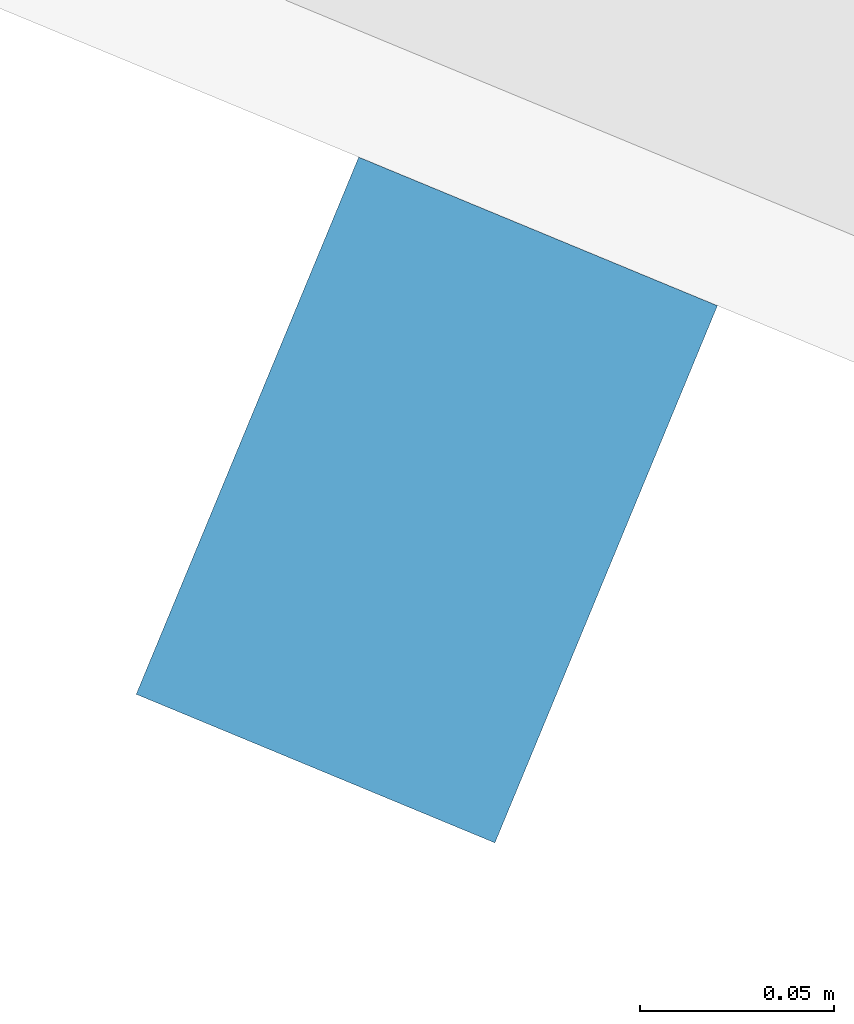
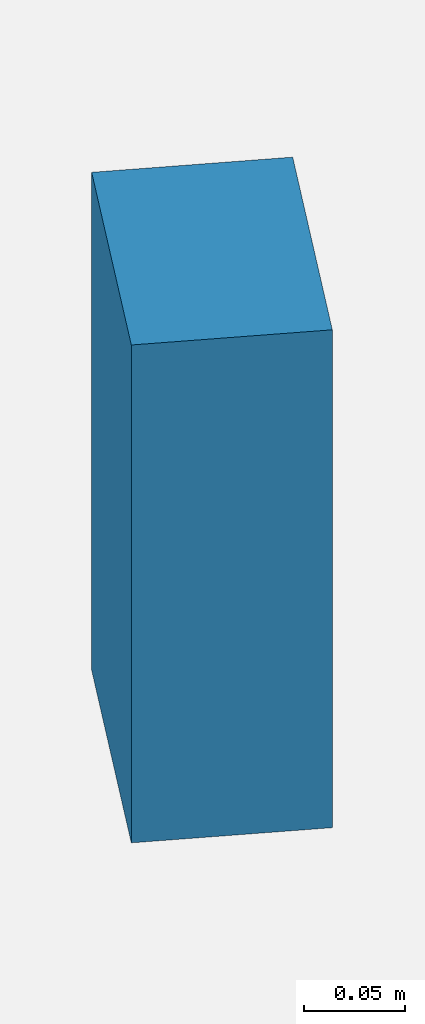
# One storey, part 9 of 29: 1 discrete accessory.
"""IFC4 building model written with IfcOpenShell, lengths in metres."""

from ifc_helpers import new_model, si_unit, direction, frame, origin, origin_2d, place, context, subcontext, project, spatial, rectangle, extrude, material, type_object, element, save


model = new_model("IFC4")

# Units and contexts
model_context = context("Model", 3, precision=1e-05, world=origin(), true_north=direction((0.0, 1.0)))
body_context = subcontext(model_context, "Body", "Model", "MODEL_VIEW")
ifc_project = project(units=[si_unit("LENGTHUNIT", "METRE"), si_unit("AREAUNIT", "SQUARE_METRE"), si_unit("VOLUMEUNIT", "CUBIC_METRE"), si_unit("PLANEANGLEUNIT", "RADIAN"), si_unit("MASSUNIT", "GRAM", prefix="KILO")], contexts=[model_context])

# Site, building, storey
site_placement = place(None, origin())
site = spatial("IfcSite", under=ifc_project, at=site_placement, CompositionType="ELEMENT")
building_placement = place(site_placement, origin())
building = spatial("IfcBuilding", under=site, at=building_placement, Name="Qamariyya Broadcast Tower", CompositionType="ELEMENT")
storey_placement = place(building_placement, frame((0.0, 0.0, 106.300048828125)))
storey = spatial("IfcBuildingStorey", under=building, at=storey_placement, Name="L23", CompositionType="ELEMENT", Elevation=106.300048828125)

# Discrete accessory
ifc_material = material(Name="Stainless steel 316", Category="steel")
discrete_accessory_type = type_object("IfcDiscreteAccessoryType", Name="Slab edge fixing angle, stainless steel", PredefinedType="BRACKET", material=ifc_material)
discrete_accessory_placement = place(storey_placement, frame((-33.904296875, -71.6875, 3.2998046875), z_axis=(0.0, 0.0, 1.0), x_axis=(0.923879532511, -0.382683432365, 0.0)))
element("IfcDiscreteAccessory", 1, at=discrete_accessory_placement, inside=storey, type_object=discrete_accessory_type, Name="e-br-L23-06-0", PredefinedType="BRACKET", context=body_context, shape_type="SweptSolid", body=[
    extrude(rectangle(XDim=0.10009765625, YDim=0.14990234375, at=origin_2d()), origin(), (0.0, 0.0, 1.0), 0.300048828125),
])

save(model, "model.ifc")
